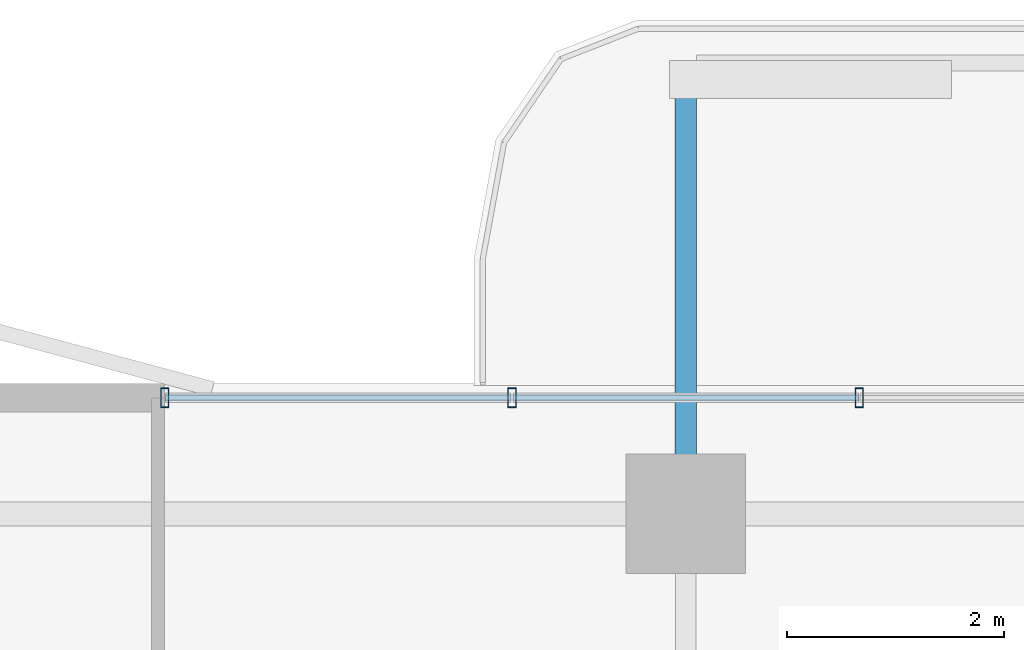
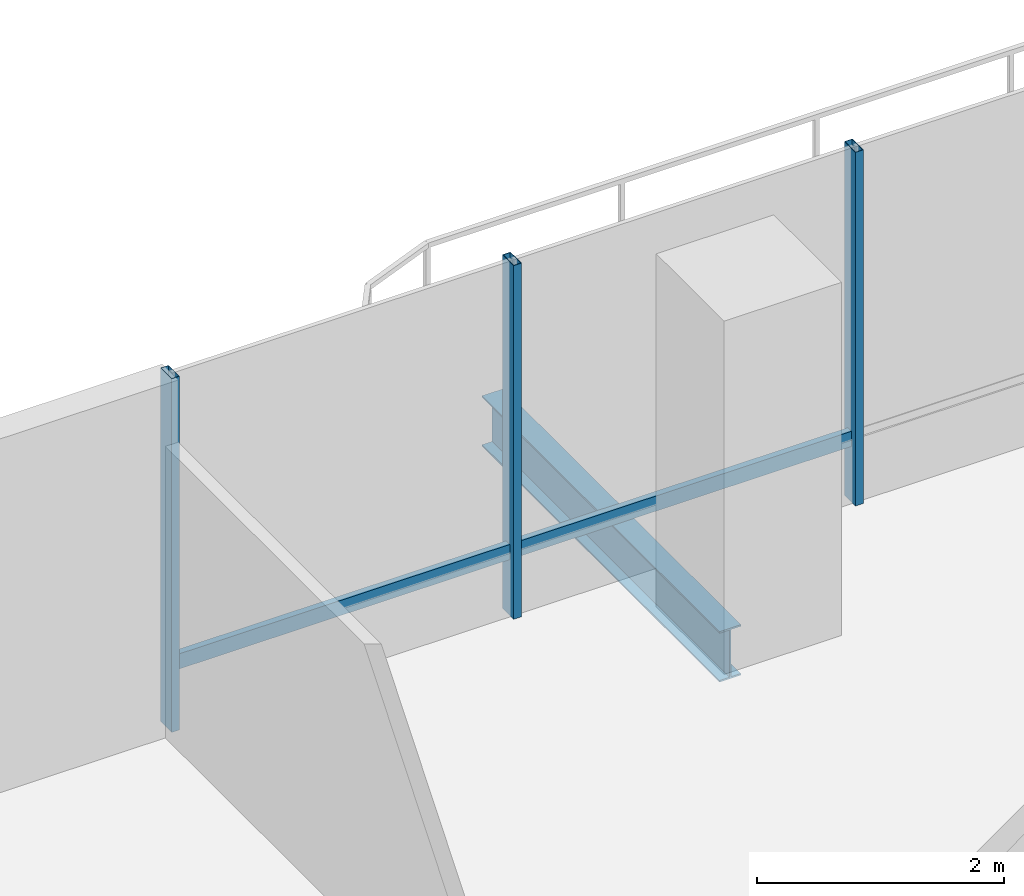
# One storey, part 11 of 24: 5 members, 1 beam, 1 element without a shape of its own.
"""IFC4 building model written with IfcOpenShell, lengths in metres."""

from ifc_helpers import new_model, si_unit, direction, frame, origin, origin_2d, place, context, subcontext, project, spatial, hollow_rectangle, i_section, extrude, material, layer, layer_set, material_profile, profile_set, type_object, element, aggregate, save


model = new_model("IFC4")

# Units and contexts
model_context = context("Model", 3, precision=1e-05, world=origin(), true_north=direction((0.0, 1.0)))
body_context = subcontext(model_context, "Body", "Model", "MODEL_VIEW")
ifc_project = project(units=[si_unit("LENGTHUNIT", "METRE"), si_unit("AREAUNIT", "SQUARE_METRE"), si_unit("VOLUMEUNIT", "CUBIC_METRE"), si_unit("PLANEANGLEUNIT", "RADIAN"), si_unit("MASSUNIT", "GRAM", prefix="KILO")], contexts=[model_context])

# Site, building, storey
site_placement = place(None, origin())
site = spatial("IfcSite", under=ifc_project, at=site_placement, CompositionType="ELEMENT")
building_placement = place(site_placement, origin())
building = spatial("IfcBuilding", under=site, at=building_placement, Name="Belovzor Exchange Tower", CompositionType="ELEMENT")
storey_placement = place(building_placement, frame((0.0, 0.0, 207.449951171875)))
storey = spatial("IfcBuildingStorey", under=building, at=storey_placement, Name="L51", CompositionType="ELEMENT", Elevation=207.449951171875)

# Beam
ifc_material_1 = material(Name="Steel S355", Category="steel")
ifc_material_profile_1 = material_profile(ifc_material_1, i_section(OverallWidth=0.199951171875, OverallDepth=0.5, WebThickness=0.01025390625, FlangeThickness=0.01611328125, at=origin_2d()))
ifc_profile_set_1 = profile_set([ifc_material_profile_1], Name="Steel S355")
beam_type = type_object("IfcBeamType", Name="Planted Balcony Cantilever Beam IPE 500", PredefinedType="BEAM", material=ifc_profile_set_1)
beam_placement = place(storey_placement, frame((28.800048828125, 54.903076171875, -0.5), z_axis=(0.0, 1.0, 0.0), x_axis=(-1.0, 0.0, 0.0)))
element("IfcBeam", 1, at=beam_placement, inside=storey, type_object=beam_type, Name="BC-500 Planted Balcony Cantilever Beam IPE 500", PredefinedType="BEAM", context=body_context, shape_type="SweptSolid", body=[
    extrude(i_section(OverallWidth=0.199951171875, OverallDepth=0.5, WebThickness=0.01025390625, FlangeThickness=0.01611328125, at=origin_2d()), origin(), (0.0, 0.0, 1.0), 3.849853515625),
])

# Curtain wall, members
ifc_material_2 = material(Name="Anodised Aluminium Framing", Category="aluminium")
ifc_layer = layer(ifc_material_2, 0.179931640625)
ifc_layer_set = layer_set([ifc_layer], Name="Anodised Aluminium Framing")
curtain_wall_type = type_object("IfcCurtainWallType", Name="Recessed Loggia Low-Iron Triple-Glazed Curtain Wall", PredefinedType="NOTDEFINED", material=ifc_layer_set)
curtain_wall_placement = place(storey_placement, origin())
curtain_wall = element("IfcCurtainWall", 2, at=curtain_wall_placement, inside=storey, type_object=curtain_wall_type, Name="CW3 Recessed Loggia Low-Iron Triple-Glazed Curtain Wall L51", PredefinedType="NOTDEFINED")
ifc_material_3 = material(Name="Steel S355", Category="steel")
ifc_material_profile_2 = material_profile(ifc_material_3, hollow_rectangle(XDim=0.074951171875, YDim=0.179931640625, WallThickness=0.0048828125, at=origin_2d()))
ifc_profile_set_2 = profile_set([ifc_material_profile_2], Name="Steel S355")
member_type_1 = type_object("IfcMemberType", Name="Thermally Broken Curtain Wall Mullion 180x75", PredefinedType="MULLION", material=ifc_profile_set_2)
member_1_placement = place(storey_placement, frame((24.0, 55.669921875, 0.0), z_axis=(0.0, 0.0, 1.0), x_axis=(1.0, 0.0, 0.0)))
member_1 = element("IfcMember", 3, at=member_1_placement, type_object=member_type_1, Name="CW-M180 Curtain Wall Mullion 1", PredefinedType="MULLION", context=body_context, shape_type="SweptSolid", body=[
    extrude(hollow_rectangle(XDim=0.074951171875, YDim=0.179931640625, WallThickness=0.0048828125, at=origin_2d()), origin(), (0.0, 0.0, 1.0), 3.5),
])
member_2_placement = place(storey_placement, frame((27.199951171875, 55.669921875, 0.0), z_axis=(0.0, 0.0, 1.0), x_axis=(1.0, 0.0, 0.0)))
member_2 = element("IfcMember", 4, at=member_2_placement, type_object=member_type_1, Name="CW-M180 Curtain Wall Mullion 2", PredefinedType="MULLION", context=body_context, shape_type="SweptSolid", body=[
    extrude(hollow_rectangle(XDim=0.074951171875, YDim=0.179931640625, WallThickness=0.0048828125, at=origin_2d()), origin(), (0.0, 0.0, 1.0), 3.5),
])
member_3_placement = place(storey_placement, frame((30.39990234375, 55.669921875, 0.0), z_axis=(0.0, 0.0, 1.0), x_axis=(1.0, 0.0, 0.0)))
member_3 = element("IfcMember", 5, at=member_3_placement, type_object=member_type_1, Name="CW-M180 Curtain Wall Mullion 3", PredefinedType="MULLION", context=body_context, shape_type="SweptSolid", body=[
    extrude(hollow_rectangle(XDim=0.074951171875, YDim=0.179931640625, WallThickness=0.0048828125, at=origin_2d()), origin(), (0.0, 0.0, 1.0), 3.5),
])
ifc_material_4 = material(Name="Steel S355", Category="steel")
ifc_material_profile_3 = material_profile(ifc_material_4, hollow_rectangle(XDim=0.06005859375, YDim=0.14990234375, WallThickness=0.00390625, at=origin_2d()))
ifc_profile_set_3 = profile_set([ifc_material_profile_3], Name="Steel S355")
member_type_2 = type_object("IfcMemberType", Name="Thermally Broken Curtain Wall Transom 150x60", PredefinedType="USERDEFINED", material=ifc_profile_set_3)
member_4_placement = place(storey_placement, frame((24.008056640625, 55.669921875, 0.630126953125), z_axis=(1.0, 0.0, 0.0), x_axis=(0.0, 1.0, 0.0)))
member_4 = element("IfcMember", 6, at=member_4_placement, type_object=member_type_2, Name="CW-T150 Curtain Wall Transom 1", ObjectType="TRANSOM", PredefinedType="USERDEFINED", context=body_context, shape_type="SweptSolid", body=[
    extrude(hollow_rectangle(XDim=0.06005859375, YDim=0.14990234375, WallThickness=0.00390625, at=origin_2d()), origin(), (0.0, 0.0, 1.0), 3.183837890625),
])
member_5_placement = place(storey_placement, frame((27.2080078125, 55.669921875, 0.630126953125), z_axis=(1.0, 0.0, 0.0), x_axis=(0.0, 1.0, 0.0)))
member_5 = element("IfcMember", 7, at=member_5_placement, type_object=member_type_2, Name="CW-T150 Curtain Wall Transom 2", ObjectType="TRANSOM", PredefinedType="USERDEFINED", context=body_context, shape_type="SweptSolid", body=[
    extrude(hollow_rectangle(XDim=0.06005859375, YDim=0.14990234375, WallThickness=0.00390625, at=origin_2d()), origin(), (0.0, 0.0, 1.0), 3.18408203125),
])
aggregate(curtain_wall, [member_1, member_2, member_3, member_4, member_5])

save(model, "model.ifc")
